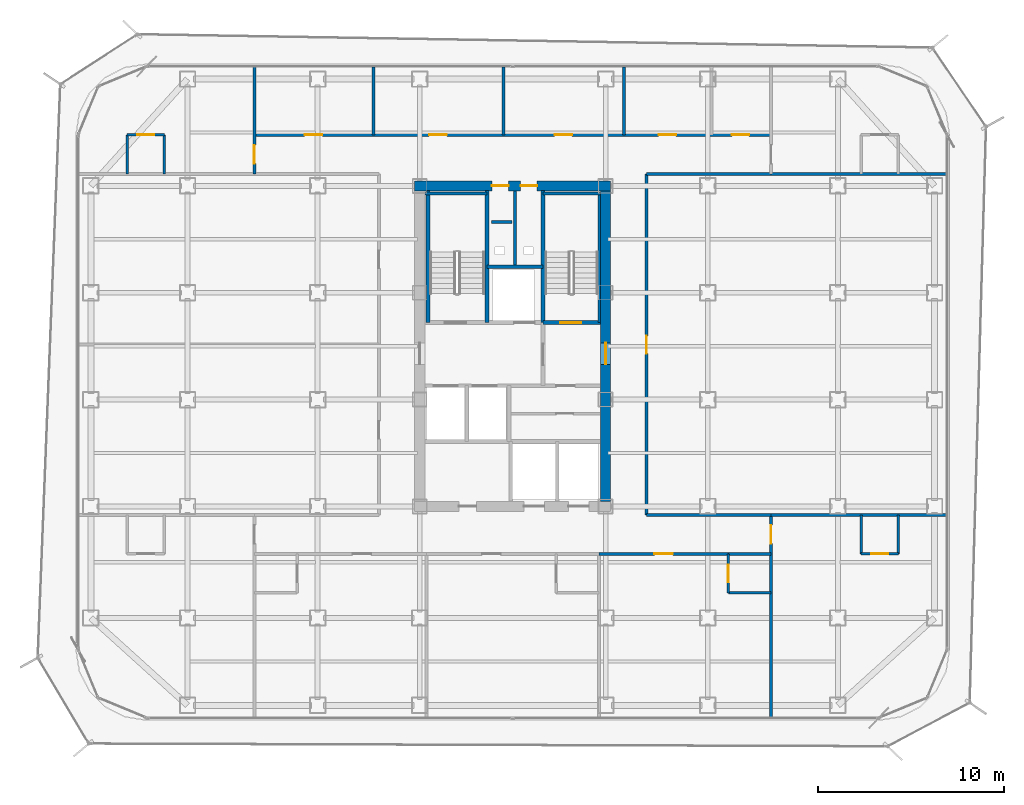
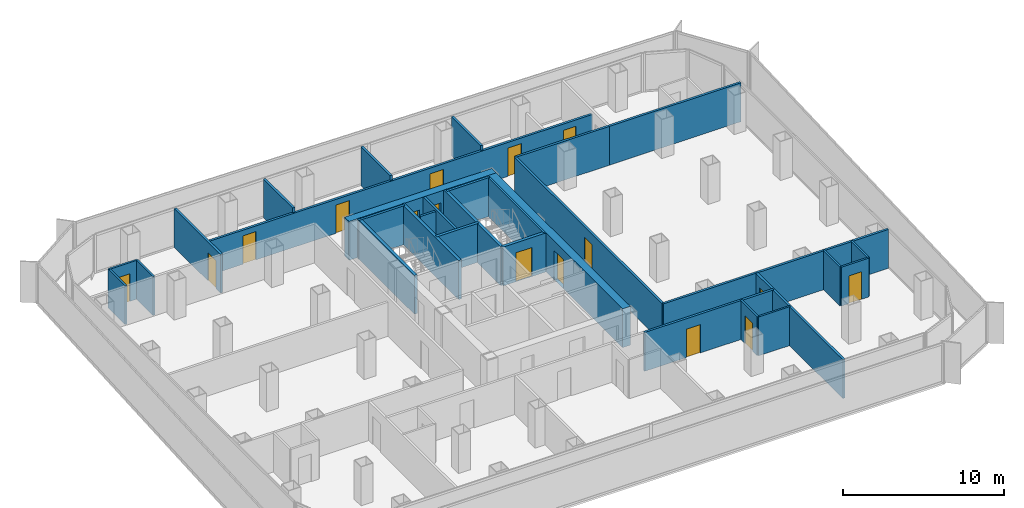
# One storey, part 17 of 21: 33 walls, 16 doors, 16 openings.
"""IFC4 building model written with IfcOpenShell, lengths in metres."""

from ifc_helpers import new_model, si_unit, direction, frame, frame_2d, origin, place, context, subcontext, project, spatial, rectangle, extrude, material, layer, layer_set, type_object, element, fill, save


model = new_model("IFC4")

# Units and contexts
model_context = context("Model", 3, precision=1e-05, world=origin(), true_north=direction((0.0, 1.0)))
body_context = subcontext(model_context, "Body", "Model", "MODEL_VIEW")
ifc_project = project(units=[si_unit("LENGTHUNIT", "METRE"), si_unit("AREAUNIT", "SQUARE_METRE"), si_unit("VOLUMEUNIT", "CUBIC_METRE"), si_unit("PLANEANGLEUNIT", "RADIAN"), si_unit("MASSUNIT", "GRAM", prefix="KILO")], contexts=[model_context])

# Site, building, storey
site_placement = place(None, origin())
site = spatial("IfcSite", under=ifc_project, at=site_placement, CompositionType="ELEMENT")
building_placement = place(site_placement, origin())
building = spatial("IfcBuilding", under=site, at=building_placement, Name="Kolveth Station Tower", CompositionType="ELEMENT")
storey_placement = place(building_placement, frame((0.0, 0.0, 124.699951171875)))
storey = spatial("IfcBuildingStorey", under=building, at=storey_placement, Name="L34", CompositionType="ELEMENT", Elevation=124.699951171875)

# Wall, openings, doors
ifc_material_1 = material(Name="Concrete C60/75", Category="concrete")
ifc_layer_1 = layer(ifc_material_1, 0.550048828125)
ifc_layer_set_1 = layer_set([ifc_layer_1], Name="Concrete C60/75")
wall_type_1 = type_object("IfcWallType", Name="Wall_CW-550", PredefinedType="SHEAR", material=ifc_layer_set_1)
wall_1_placement = place(storey_placement, frame((18.22509765625, 28.75, 0.0), z_axis=(0.0, 0.0, 1.0), x_axis=(1.0, 0.0, 0.0)))
wall_1 = element("IfcWall", 1, at=wall_1_placement, inside=storey, type_object=wall_type_1, Name="L34 Core RC Shear Wall N", PredefinedType="SHEAR", context=body_context, shape_type="SweptSolid", body=[
    extrude(rectangle(XDim=10.5498046875, YDim=0.550048828125, at=frame_2d((5.27490234375, 0.0))), origin(), (0.0, 0.0, 1.0), 2.949951171875),
])
opening_1_placement = place(wall_1_placement, frame((4.155029296875, 0.0, 0.0)))
opening_1 = element("IfcOpeningElement", 2, at=opening_1_placement, cuts=wall_1, Name="Opening RD1", PredefinedType="OPENING", context=body_context, shape_type="SweptSolid", body=[
    extrude(rectangle(XDim=0.89990234375, YDim=2.050048828125, at=frame_2d((0.449951171875, 1.02490234375))), frame((0.0, 0.284912109375, 0.0), z_axis=(0.0, -1.0, 0.0), x_axis=(1.0, 0.0, 0.0)), (0.0, 0.0, 1.0), 0.570068359375),
])
opening_2_placement = place(wall_1_placement, frame((5.695068359375, 0.0, 0.0)))
opening_2 = element("IfcOpeningElement", 3, at=opening_2_placement, cuts=wall_1, Name="Opening RD1", PredefinedType="OPENING", context=body_context, shape_type="SweptSolid", body=[
    extrude(rectangle(XDim=0.89990234375, YDim=2.050048828125, at=frame_2d((0.449951171875, 1.02490234375))), frame((0.0, 0.284912109375, 0.0), z_axis=(0.0, -1.0, 0.0), x_axis=(1.0, 0.0, 0.0)), (0.0, 0.0, 1.0), 0.570068359375),
])
ifc_material_2 = material(Name="Fire-rated Steel S355 riser access leaf", Category="steel")
door_type_1 = type_object("IfcDoorType", Name="Door_RD1", OperationType="NOTDEFINED", PredefinedType="DOOR", material=ifc_material_2)
door_1_placement = place(opening_1_placement, origin())
door_1 = element("IfcDoor", 4, at=door_1_placement, inside=storey, type_object=door_type_1, Name="L34 Electrical Riser Access Door", OperationType="SINGLE_SWING_RIGHT", OverallHeight=2.050048828125, OverallWidth=0.89990234375, PredefinedType="DOOR", context=body_context, shape_type="SweptSolid", body=[
    extrude(rectangle(XDim=0.89990234375, YDim=2.050048828125, at=frame_2d((0.449951171875, 1.02490234375))), frame((0.0, 0.02490234375, 0.0), z_axis=(0.0, -1.0, 0.0), x_axis=(1.0, 0.0, 0.0)), (0.0, 0.0, 1.0), 0.050048828125),
])
fill(opening_1, door_1)
door_2_placement = place(opening_2_placement, origin())
door_2 = element("IfcDoor", 5, at=door_2_placement, inside=storey, type_object=door_type_1, Name="L34 Smoke Duct Access Door", OperationType="SINGLE_SWING_LEFT", OverallHeight=2.050048828125, OverallWidth=0.89990234375, PredefinedType="DOOR", context=body_context, shape_type="SweptSolid", body=[
    extrude(rectangle(XDim=0.89990234375, YDim=2.050048828125, at=frame_2d((0.449951171875, 1.02490234375))), frame((0.0, 0.02490234375, 0.0), z_axis=(0.0, -1.0, 0.0), x_axis=(1.0, 0.0, 0.0)), (0.0, 0.0, 1.0), 0.050048828125),
])
fill(opening_2, door_2)

# Wall, opening, door
wall_2_placement = place(storey_placement, frame((28.5, 11.77490234375, 0.0), z_axis=(0.0, 0.0, 1.0), x_axis=(0.0, 1.0, 0.0)))
wall_2 = element("IfcWall", 6, at=wall_2_placement, inside=storey, type_object=wall_type_1, Name="L34 Core RC Shear Wall E", PredefinedType="SHEAR", context=body_context, shape_type="SweptSolid", body=[
    extrude(rectangle(XDim=16.7001953125, YDim=0.550048828125, at=frame_2d((8.35009765625, 0.0))), origin(), (0.0, 0.0, 1.0), 2.949951171875),
])
opening_3_placement = place(wall_2_placement, frame((7.375, 0.0, 0.0)))
opening_3 = element("IfcOpeningElement", 7, at=opening_3_placement, cuts=wall_2, Name="Opening FD1", PredefinedType="OPENING", context=body_context, shape_type="SweptSolid", body=[
    extrude(rectangle(XDim=1.14990234375, YDim=2.199951171875, at=frame_2d((0.574951171875, 1.10009765625))), frame((0.0, 0.284912109375, 0.0), z_axis=(0.0, -1.0, 0.0), x_axis=(1.0, 0.0, 0.0)), (0.0, 0.0, 1.0), 0.570068359375),
])
ifc_material_3 = material(Name="Fire-rated Steel S355 leaf and frame", Category="steel")
door_type_2 = type_object("IfcDoorType", Name="Door_FD1", OperationType="NOTDEFINED", PredefinedType="DOOR", material=ifc_material_3)
door_3_placement = place(opening_3_placement, origin())
door_3 = element("IfcDoor", 8, at=door_3_placement, inside=storey, type_object=door_type_2, Name="L34 East Corridor to Stair Lobby Door", OperationType="SINGLE_SWING_LEFT", OverallHeight=2.199951171875, OverallWidth=1.14990234375, PredefinedType="DOOR", context=body_context, shape_type="SweptSolid", body=[
    extrude(rectangle(XDim=1.14990234375, YDim=2.199951171875, at=frame_2d((0.574951171875, 1.10009765625))), frame((0.0, 0.02490234375, 0.0), z_axis=(0.0, -1.0, 0.0), x_axis=(1.0, 0.0, 0.0)), (0.0, 0.0, 1.0), 0.050048828125),
])
fill(opening_3, door_3)

# Walls
ifc_material_4 = material(Name="Moisture-resistant gypsum partition")
ifc_layer_2 = layer(ifc_material_4, 0.135009765625)
ifc_layer_set_2 = layer_set([ifc_layer_2], Name="Moisture-resistant gypsum partition")
wall_type_2 = type_object("IfcWallType", Name="Wall_IW-135", PredefinedType="PARTITIONING", material=ifc_layer_set_2)
wall_3_placement = place(storey_placement, frame((28.16748046875, 21.389892578125, 0.0), z_axis=(0.0, 0.0, 1.0), x_axis=(0.0, 1.0, 0.0)))
element("IfcWall", 9, at=wall_3_placement, inside=storey, type_object=wall_type_2, Name="L34 Stair Shaft Wall WL-L34-ST2-E", PredefinedType="PARTITIONING", context=body_context, shape_type="SweptSolid", body=[
    extrude(rectangle(XDim=6.945068359375, YDim=0.135009765625, at=frame_2d((3.47265625, 0.0))), origin(), (0.0, 0.0, 1.0), 2.949951171875),
])
for number, where, z_axis, x_axis, name in (
    (10, (2.75, 29.39990234375, 0.0), (0.0, 0.0, 1.0), (0.0, 1.0, 0.0), "L34 Partition Wall WL-L34-WS2-BV1"),
    (11, (4.75, 29.39990234375, 0.0), (0.0, 0.0, 1.0), (0.0, 1.0, 0.0), "L34 Partition Wall WL-L34-WS2-BV2"),
):
    element("IfcWall", number, at=place(storey_placement, frame(where, z_axis=z_axis, x_axis=x_axis)), inside=storey, type_object=wall_type_2, Name=name, PredefinedType="PARTITIONING", context=body_context, shape_type="SweptSolid", body=[
        extrude(rectangle(XDim=2.10009765625, YDim=0.135009765625, at=frame_2d((1.050048828125, 0.0))), origin(), (0.0, 0.0, 1.0), 2.949951171875),
    ])

# Wall, opening, door
wall_4_placement = place(storey_placement, frame((2.75, 31.5, 0.0), z_axis=(0.0, 0.0, 1.0), x_axis=(1.0, 0.0, 0.0)))
wall_4 = element("IfcWall", 12, at=wall_4_placement, inside=storey, type_object=wall_type_2, Name="L34 Partition Wall WL-L34-WS2-BH", PredefinedType="PARTITIONING", context=body_context, shape_type="SweptSolid", body=[
    extrude(rectangle(XDim=2.0, YDim=0.135009765625, at=frame_2d((1.0, 0.0))), origin(), (0.0, 0.0, 1.0), 2.949951171875),
])
opening_4_placement = place(wall_4_placement, frame((0.5400390625, 0.0, 0.0)))
opening_4 = element("IfcOpeningElement", 13, at=opening_4_placement, cuts=wall_4, Name="Opening ID2", PredefinedType="OPENING", context=body_context, shape_type="SweptSolid", body=[
    extrude(rectangle(XDim=0.919921875, YDim=2.10009765625, at=frame_2d((0.4599609375, 1.050048828125))), frame((0.0, 0.077392578125, 0.0), z_axis=(0.0, -1.0, 0.0), x_axis=(1.0, 0.0, 0.0)), (0.0, 0.0, 1.0), 0.155029296875),
])
ifc_material_5 = material(Name="Moisture-resistant hardwood leaf", Category="wood")
door_type_3 = type_object("IfcDoorType", Name="Door_ID2", OperationType="NOTDEFINED", PredefinedType="DOOR", material=ifc_material_5)
door_4_placement = place(opening_4_placement, frame((0.919921875, 0.0, 0.0), z_axis=(0.0, 0.0, 1.0), x_axis=(-1.0, 0.0, 0.0)))
door_4 = element("IfcDoor", 14, at=door_4_placement, inside=storey, type_object=door_type_3, Name="L34 Hotel Guest Room WS2 En-Suite Door", OperationType="SINGLE_SWING_LEFT", OverallHeight=2.10009765625, OverallWidth=0.919921875, PredefinedType="DOOR", context=body_context, shape_type="SweptSolid", body=[
    extrude(rectangle(XDim=0.919921875, YDim=2.10009765625, at=frame_2d((0.4599609375, 1.050048828125))), frame((0.0, 0.02490234375, 0.0), z_axis=(0.0, -1.0, 0.0), x_axis=(1.0, 0.0, 0.0)), (0.0, 0.0, 1.0), 0.050048828125),
])
fill(opening_4, door_4)

# Walls
for number, where, z_axis, x_axis, name in (
    (15, (42.25, 8.949951171875, 0.0), (0.0, 0.0, 1.0), (0.0, 1.0, 0.0), "L34 Partition Wall WL-L34-ES1-BV1"),
    (16, (44.25, 8.949951171875, 0.0), (0.0, 0.0, 1.0), (0.0, 1.0, 0.0), "L34 Partition Wall WL-L34-ES1-BV2"),
):
    element("IfcWall", number, at=place(storey_placement, frame(where, z_axis=z_axis, x_axis=x_axis)), inside=storey, type_object=wall_type_2, Name=name, PredefinedType="PARTITIONING", context=body_context, shape_type="SweptSolid", body=[
        extrude(rectangle(XDim=2.10009765625, YDim=0.135009765625, at=frame_2d((1.050048828125, 0.0))), origin(), (0.0, 0.0, 1.0), 2.949951171875),
    ])

# Wall, opening, door
wall_5_placement = place(storey_placement, frame((42.25, 8.949951171875, 0.0), z_axis=(0.0, 0.0, 1.0), x_axis=(1.0, 0.0, 0.0)))
wall_5 = element("IfcWall", 17, at=wall_5_placement, inside=storey, type_object=wall_type_2, Name="L34 Partition Wall WL-L34-ES1-BH", PredefinedType="PARTITIONING", context=body_context, shape_type="SweptSolid", body=[
    extrude(rectangle(XDim=2.0, YDim=0.135009765625, at=frame_2d((1.0, 0.0))), origin(), (0.0, 0.0, 1.0), 2.949951171875),
])
opening_5_placement = place(wall_5_placement, frame((0.5400390625, 0.0, 0.0)))
opening_5 = element("IfcOpeningElement", 18, at=opening_5_placement, cuts=wall_5, Name="Opening ID2", PredefinedType="OPENING", context=body_context, shape_type="SweptSolid", body=[
    extrude(rectangle(XDim=0.919921875, YDim=2.10009765625, at=frame_2d((0.4599609375, 1.050048828125))), frame((0.0, 0.077392578125, 0.0), z_axis=(0.0, -1.0, 0.0), x_axis=(1.0, 0.0, 0.0)), (0.0, 0.0, 1.0), 0.155029296875),
])
door_5_placement = place(opening_5_placement, origin())
door_5 = element("IfcDoor", 19, at=door_5_placement, inside=storey, type_object=door_type_3, Name="L34 Hotel Corner Suite ES1 En-Suite Door", OperationType="SINGLE_SWING_LEFT", OverallHeight=2.10009765625, OverallWidth=0.919921875, PredefinedType="DOOR", context=body_context, shape_type="SweptSolid", body=[
    extrude(rectangle(XDim=0.919921875, YDim=2.10009765625, at=frame_2d((0.4599609375, 1.050048828125))), frame((0.0, 0.02490234375, 0.0), z_axis=(0.0, -1.0, 0.0), x_axis=(1.0, 0.0, 0.0)), (0.0, 0.0, 1.0), 0.050048828125),
])
fill(opening_5, door_5)

wall_6_placement = place(storey_placement, frame((35.10009765625, 6.85009765625, 0.0), z_axis=(0.0, 0.0, 1.0), x_axis=(0.0, 1.0, 0.0)))
wall_6 = element("IfcWall", 20, at=wall_6_placement, inside=storey, type_object=wall_type_2, Name="L34 Partition Wall WL-L34-HS3-BV", PredefinedType="PARTITIONING", context=body_context, shape_type="SweptSolid", body=[
    extrude(rectangle(XDim=2.099853515625, YDim=0.135009765625, at=frame_2d((1.0498046875, 0.0))), origin(), (0.0, 0.0, 1.0), 2.949951171875),
])
opening_6_placement = place(wall_6_placement, frame((0.580078125, 0.0, 0.0)))
opening_6 = element("IfcOpeningElement", 21, at=opening_6_placement, cuts=wall_6, Name="Opening ID2", PredefinedType="OPENING", context=body_context, shape_type="SweptSolid", body=[
    extrude(rectangle(XDim=0.919921875, YDim=2.10009765625, at=frame_2d((0.4599609375, 1.050048828125))), frame((0.0, 0.077392578125, 0.0), z_axis=(0.0, -1.0, 0.0), x_axis=(1.0, 0.0, 0.0)), (0.0, 0.0, 1.0), 0.155029296875),
])
door_6_placement = place(opening_6_placement, origin())
door_6 = element("IfcDoor", 22, at=door_6_placement, inside=storey, type_object=door_type_3, Name="L34 Hotel Corner Suite HS3 En-Suite Door", OperationType="SINGLE_SWING_LEFT", OverallHeight=2.10009765625, OverallWidth=0.919921875, PredefinedType="DOOR", context=body_context, shape_type="SweptSolid", body=[
    extrude(rectangle(XDim=0.919921875, YDim=2.10009765625, at=frame_2d((0.4599609375, 1.050048828125))), frame((0.0, 0.02490234375, 0.0), z_axis=(0.0, -1.0, 0.0), x_axis=(1.0, 0.0, 0.0)), (0.0, 0.0, 1.0), 0.050048828125),
])
fill(opening_6, door_6)

# Walls
wall_7_placement = place(storey_placement, frame((35.10009765625, 6.85009765625, 0.0), z_axis=(0.0, 0.0, 1.0), x_axis=(1.0, 0.0, 0.0)))
element("IfcWall", 23, at=wall_7_placement, inside=storey, type_object=wall_type_2, Name="L34 Partition Wall WL-L34-HS3-BH", PredefinedType="PARTITIONING", context=body_context, shape_type="SweptSolid", body=[
    extrude(rectangle(XDim=2.2998046875, YDim=0.135009765625, at=frame_2d((1.14990234375, 0.0))), origin(), (0.0, 0.0, 1.0), 2.949951171875),
])
ifc_material_6 = material(Name="Acoustic double-stud gypsum partition")
ifc_layer_3 = layer(ifc_material_6, 0.1650390625)
ifc_layer_set_3 = layer_set([ifc_layer_3], Name="Acoustic double-stud gypsum partition")
wall_type_3 = type_object("IfcWallType", Name="Wall_IW-165", PredefinedType="PARTITIONING", material=ifc_layer_set_3)
wall_8_placement = place(storey_placement, frame((18.784912109375, 28.3349609375, 0.0), z_axis=(0.0, 0.0, 1.0), x_axis=(1.0, 0.0, 0.0)))
element("IfcWall", 24, at=wall_8_placement, inside=storey, type_object=wall_type_3, Name="L34 Stair Shaft Wall WL-L34-ST1-N", PredefinedType="PARTITIONING", context=body_context, shape_type="SweptSolid", body=[
    extrude(rectangle(XDim=3.3251953125, YDim=0.1650390625, at=frame_2d((1.66259765625, 0.0))), origin(), (0.0, 0.0, 1.0), 2.949951171875),
])
wall_9_placement = place(storey_placement, frame((25.1298828125, 28.3349609375, 0.0), z_axis=(0.0, 0.0, 1.0), x_axis=(1.0, 0.0, 0.0)))
element("IfcWall", 25, at=wall_9_placement, inside=storey, type_object=wall_type_3, Name="L34 Stair Shaft Wall WL-L34-ST2-N", PredefinedType="PARTITIONING", context=body_context, shape_type="SweptSolid", body=[
    extrude(rectangle(XDim=3.085205078125, YDim=0.1650390625, at=frame_2d((1.54248046875, 0.0))), origin(), (0.0, 0.0, 1.0), 2.949951171875),
])
wall_10_placement = place(storey_placement, frame((23.6201171875, 24.39990234375, 0.0), z_axis=(0.0, 0.0, 1.0), x_axis=(0.0, 1.0, 0.0)))
element("IfcWall", 26, at=wall_10_placement, inside=storey, type_object=wall_type_3, Name="L34 Partition Wall WL-L34-RSR-M", PredefinedType="PARTITIONING", context=body_context, shape_type="SweptSolid", body=[
    extrude(rectangle(XDim=4.065185546875, YDim=0.1650390625, at=frame_2d((2.03271484375, 0.0))), origin(), (0.0, 0.0, 1.0), 2.949951171875),
])

# Wall, openings, doors
wall_11_placement = place(storey_placement, frame((9.60009765625, 31.5, 0.0), z_axis=(0.0, 0.0, 1.0), x_axis=(1.0, 0.0, 0.0)))
wall_11 = element("IfcWall", 27, at=wall_11_placement, inside=storey, type_object=wall_type_3, Name="L34 Partition Wall WL-L34-HN", PredefinedType="PARTITIONING", context=body_context, shape_type="SweptSolid", body=[
    extrude(rectangle(XDim=27.7998046875, YDim=0.1650390625, at=frame_2d((13.89990234375, 0.0))), origin(), (0.0, 0.0, 1.0), 2.5830078125),
])
opening_7_placement = place(wall_11_placement, frame((2.699951171875, 0.0, 0.0)))
opening_7 = element("IfcOpeningElement", 28, at=opening_7_placement, cuts=wall_11, Name="Opening ID1", PredefinedType="OPENING", context=body_context, shape_type="SweptSolid", body=[
    extrude(rectangle(XDim=0.949951171875, YDim=2.14990234375, at=frame_2d((0.47509765625, 1.074951171875))), frame((0.0, 0.092529296875, 0.0), z_axis=(0.0, -1.0, 0.0), x_axis=(1.0, 0.0, 0.0)), (0.0, 0.0, 1.0), 0.18505859375),
])
opening_8_placement = place(wall_11_placement, frame((9.39990234375, 0.0, 0.0)))
opening_8 = element("IfcOpeningElement", 29, at=opening_8_placement, cuts=wall_11, Name="Opening ID1", PredefinedType="OPENING", context=body_context, shape_type="SweptSolid", body=[
    extrude(rectangle(XDim=0.949951171875, YDim=2.14990234375, at=frame_2d((0.47509765625, 1.074951171875))), frame((0.0, 0.092529296875, 0.0), z_axis=(0.0, -1.0, 0.0), x_axis=(1.0, 0.0, 0.0)), (0.0, 0.0, 1.0), 0.18505859375),
])
opening_9_placement = place(wall_11_placement, frame((16.14990234375, 0.0, 0.0)))
opening_9 = element("IfcOpeningElement", 30, at=opening_9_placement, cuts=wall_11, Name="Opening ID1", PredefinedType="OPENING", context=body_context, shape_type="SweptSolid", body=[
    extrude(rectangle(XDim=0.949951171875, YDim=2.14990234375, at=frame_2d((0.47509765625, 1.074951171875))), frame((0.0, 0.092529296875, 0.0), z_axis=(0.0, -1.0, 0.0), x_axis=(1.0, 0.0, 0.0)), (0.0, 0.0, 1.0), 0.18505859375),
])
opening_10_placement = place(wall_11_placement, frame((21.75, 0.0, 0.0)))
opening_10 = element("IfcOpeningElement", 31, at=opening_10_placement, cuts=wall_11, Name="Opening ID1", PredefinedType="OPENING", context=body_context, shape_type="SweptSolid", body=[
    extrude(rectangle(XDim=0.949951171875, YDim=2.14990234375, at=frame_2d((0.47509765625, 1.074951171875))), frame((0.0, 0.092529296875, 0.0), z_axis=(0.0, -1.0, 0.0), x_axis=(1.0, 0.0, 0.0)), (0.0, 0.0, 1.0), 0.18505859375),
])
opening_11_placement = place(wall_11_placement, frame((25.699951171875, 0.0, 0.0)))
opening_11 = element("IfcOpeningElement", 32, at=opening_11_placement, cuts=wall_11, Name="Opening ID2", PredefinedType="OPENING", context=body_context, shape_type="SweptSolid", body=[
    extrude(rectangle(XDim=0.919921875, YDim=2.10009765625, at=frame_2d((0.4599609375, 1.050048828125))), frame((0.0, 0.092529296875, 0.0), z_axis=(0.0, -1.0, 0.0), x_axis=(1.0, 0.0, 0.0)), (0.0, 0.0, 1.0), 0.18505859375),
])
ifc_material_7 = material(Name="Acoustic hardwood leaf and aluminium frame", Category="wood")
door_type_4 = type_object("IfcDoorType", Name="Door_ID1", OperationType="NOTDEFINED", PredefinedType="DOOR", material=ifc_material_7)
door_7_placement = place(opening_7_placement, origin())
door_7 = element("IfcDoor", 33, at=door_7_placement, inside=storey, type_object=door_type_4, Name="L34 Hospitality Management Office 1 Door", OperationType="SINGLE_SWING_LEFT", OverallHeight=2.14990234375, OverallWidth=0.949951171875, PredefinedType="DOOR", context=body_context, shape_type="SweptSolid", body=[
    extrude(rectangle(XDim=0.949951171875, YDim=2.14990234375, at=frame_2d((0.47509765625, 1.074951171875))), frame((0.0, 0.02490234375, 0.0), z_axis=(0.0, -1.0, 0.0), x_axis=(1.0, 0.0, 0.0)), (0.0, 0.0, 1.0), 0.050048828125),
])
fill(opening_7, door_7)
door_8_placement = place(opening_8_placement, origin())
door_8 = element("IfcDoor", 34, at=door_8_placement, inside=storey, type_object=door_type_4, Name="L34 Hospitality Management Office 2 Door", OperationType="SINGLE_SWING_RIGHT", OverallHeight=2.14990234375, OverallWidth=0.949951171875, PredefinedType="DOOR", context=body_context, shape_type="SweptSolid", body=[
    extrude(rectangle(XDim=0.949951171875, YDim=2.14990234375, at=frame_2d((0.47509765625, 1.074951171875))), frame((0.0, 0.02490234375, 0.0), z_axis=(0.0, -1.0, 0.0), x_axis=(1.0, 0.0, 0.0)), (0.0, 0.0, 1.0), 0.050048828125),
])
fill(opening_8, door_8)
door_9_placement = place(opening_9_placement, origin())
door_9 = element("IfcDoor", 35, at=door_9_placement, inside=storey, type_object=door_type_4, Name="L34 Events Coordination Office Door", OperationType="SINGLE_SWING_LEFT", OverallHeight=2.14990234375, OverallWidth=0.949951171875, PredefinedType="DOOR", context=body_context, shape_type="SweptSolid", body=[
    extrude(rectangle(XDim=0.949951171875, YDim=2.14990234375, at=frame_2d((0.47509765625, 1.074951171875))), frame((0.0, 0.02490234375, 0.0), z_axis=(0.0, -1.0, 0.0), x_axis=(1.0, 0.0, 0.0)), (0.0, 0.0, 1.0), 0.050048828125),
])
fill(opening_9, door_9)
door_10_placement = place(opening_10_placement, origin())
door_10 = element("IfcDoor", 36, at=door_10_placement, inside=storey, type_object=door_type_4, Name="L34 Floor Service Pantry Door", OperationType="SINGLE_SWING_RIGHT", OverallHeight=2.14990234375, OverallWidth=0.949951171875, PredefinedType="DOOR", context=body_context, shape_type="SweptSolid", body=[
    extrude(rectangle(XDim=0.949951171875, YDim=2.14990234375, at=frame_2d((0.47509765625, 1.074951171875))), frame((0.0, 0.02490234375, 0.0), z_axis=(0.0, -1.0, 0.0), x_axis=(1.0, 0.0, 0.0)), (0.0, 0.0, 1.0), 0.050048828125),
])
fill(opening_10, door_10)
door_11_placement = place(opening_11_placement, origin())
door_11 = element("IfcDoor", 37, at=door_11_placement, inside=storey, type_object=door_type_3, Name="L34 Accessible Guest WC Door", OperationType="SINGLE_SWING_LEFT", OverallHeight=2.10009765625, OverallWidth=0.919921875, PredefinedType="DOOR", context=body_context, shape_type="SweptSolid", body=[
    extrude(rectangle(XDim=0.919921875, YDim=2.10009765625, at=frame_2d((0.4599609375, 1.050048828125))), frame((0.0, 0.02490234375, 0.0), z_axis=(0.0, -1.0, 0.0), x_axis=(1.0, 0.0, 0.0)), (0.0, 0.0, 1.0), 0.050048828125),
])
fill(opening_11, door_11)

# Walls
for number, where, z_axis, x_axis, name in (
    (38, (30.699951171875, 11.050048828125, 0.0), (0.0, 0.0, 1.0), (1.0, 0.0, 0.0), "L34 Partition Wall WL-L34-HSET"),
    (39, (30.699951171875, 29.39990234375, 0.0), (0.0, 0.0, 1.0), (1.0, 0.0, 0.0), "L34 Partition Wall WL-L34-HNEB"),
):
    element("IfcWall", number, at=place(storey_placement, frame(where, z_axis=z_axis, x_axis=x_axis)), inside=storey, type_object=wall_type_3, Name=name, PredefinedType="PARTITIONING", context=body_context, shape_type="SweptSolid", body=[
        extrude(rectangle(XDim=6.699951171875, YDim=0.1650390625, at=frame_2d((3.35009765625, 0.0))), origin(), (0.0, 0.0, 1.0), 2.949951171875),
    ])

# Wall, opening, door
wall_12_placement = place(storey_placement, frame((30.699951171875, 11.050048828125, 0.0), z_axis=(0.0, 0.0, 1.0), x_axis=(0.0, 1.0, 0.0)))
wall_12 = element("IfcWall", 40, at=wall_12_placement, inside=storey, type_object=wall_type_3, Name="L34 Partition Wall WL-L34-HE", PredefinedType="PARTITIONING", context=body_context, shape_type="SweptSolid", body=[
    extrude(rectangle(XDim=18.349853515625, YDim=0.1650390625, at=frame_2d((9.1748046875, 0.0))), origin(), (0.0, 0.0, 1.0), 2.949951171875),
])
opening_12_placement = place(wall_12_placement, frame((8.675048828125, 0.0, 0.0)))
opening_12 = element("IfcOpeningElement", 41, at=opening_12_placement, cuts=wall_12, Name="Opening ID1", PredefinedType="OPENING", context=body_context, shape_type="SweptSolid", body=[
    extrude(rectangle(XDim=0.949951171875, YDim=2.14990234375, at=frame_2d((0.47509765625, 1.074951171875))), frame((0.0, 0.092529296875, 0.0), z_axis=(0.0, -1.0, 0.0), x_axis=(1.0, 0.0, 0.0)), (0.0, 0.0, 1.0), 0.18505859375),
])
door_12_placement = place(opening_12_placement, origin())
door_12 = element("IfcDoor", 42, at=door_12_placement, inside=storey, type_object=door_type_4, Name="L34 Club Dining Lounge Door", OperationType="SINGLE_SWING_RIGHT", OverallHeight=2.14990234375, OverallWidth=0.949951171875, PredefinedType="DOOR", context=body_context, shape_type="SweptSolid", body=[
    extrude(rectangle(XDim=0.949951171875, YDim=2.14990234375, at=frame_2d((0.47509765625, 1.074951171875))), frame((0.0, 0.02490234375, 0.0), z_axis=(0.0, -1.0, 0.0), x_axis=(1.0, 0.0, 0.0)), (0.0, 0.0, 1.0), 0.050048828125),
])
fill(opening_12, door_12)

wall_13_placement = place(storey_placement, frame((9.60009765625, 29.39990234375, 0.0), z_axis=(0.0, 0.0, 1.0), x_axis=(0.0, 1.0, 0.0)))
wall_13 = element("IfcWall", 43, at=wall_13_placement, inside=storey, type_object=wall_type_3, Name="L34 Partition Wall WL-L34-END-WN", PredefinedType="PARTITIONING", context=body_context, shape_type="SweptSolid", body=[
    extrude(rectangle(XDim=5.739990234375, YDim=0.1650390625, at=frame_2d((2.8701171875, 0.0))), origin(), (0.0, 0.0, 1.0), 2.949951171875),
])
opening_13_placement = place(wall_13_placement, frame((0.550048828125, 0.0, 0.0)))
opening_13 = element("IfcOpeningElement", 44, at=opening_13_placement, cuts=wall_13, Name="Opening FD3", PredefinedType="OPENING", context=body_context, shape_type="SweptSolid", body=[
    extrude(rectangle(XDim=1.0, YDim=2.14990234375, at=frame_2d((0.5, 1.074951171875))), frame((0.0, 0.092529296875, 0.0), z_axis=(0.0, -1.0, 0.0), x_axis=(1.0, 0.0, 0.0)), (0.0, 0.0, 1.0), 0.18505859375),
])
ifc_material_8 = material(Name="Fire-rated hardwood leaf and aluminium frame", Category="wood")
door_type_5 = type_object("IfcDoorType", Name="Door_FD3", OperationType="NOTDEFINED", PredefinedType="DOOR", material=ifc_material_8)
door_13_placement = place(opening_13_placement, origin())
door_13 = element("IfcDoor", 45, at=door_13_placement, inside=storey, type_object=door_type_5, Name="L34 Hotel Guest Room WS2 Entrance Door", OperationType="SINGLE_SWING_RIGHT", OverallHeight=2.14990234375, OverallWidth=1.0, PredefinedType="DOOR", context=body_context, shape_type="SweptSolid", body=[
    extrude(rectangle(XDim=1.0, YDim=2.14990234375, at=frame_2d((0.5, 1.074951171875))), frame((0.0, 0.02490234375, 0.0), z_axis=(0.0, -1.0, 0.0), x_axis=(1.0, 0.0, 0.0)), (0.0, 0.0, 1.0), 0.050048828125),
])
fill(opening_13, door_13)

wall_14_placement = place(storey_placement, frame((37.39990234375, 0.159912109375, 0.0), z_axis=(0.0, 0.0, 1.0), x_axis=(0.0, 1.0, 0.0)))
wall_14 = element("IfcWall", 46, at=wall_14_placement, inside=storey, type_object=wall_type_3, Name="L34 Partition Wall WL-L34-END-ES", PredefinedType="PARTITIONING", context=body_context, shape_type="SweptSolid", body=[
    extrude(rectangle(XDim=10.89013671875, YDim=0.1650390625, at=frame_2d((5.445068359375, 0.0))), origin(), (0.0, 0.0, 1.0), 2.949951171875),
])
opening_14_placement = place(wall_14_placement, frame((9.340087890625, 0.0, 0.0)))
opening_14 = element("IfcOpeningElement", 47, at=opening_14_placement, cuts=wall_14, Name="Opening FD3", PredefinedType="OPENING", context=body_context, shape_type="SweptSolid", body=[
    extrude(rectangle(XDim=1.0, YDim=2.14990234375, at=frame_2d((0.5, 1.074951171875))), frame((0.0, 0.092529296875, 0.0), z_axis=(0.0, -1.0, 0.0), x_axis=(1.0, 0.0, 0.0)), (0.0, 0.0, 1.0), 0.18505859375),
])
door_14_placement = place(opening_14_placement, frame((1.0, 0.0, 0.0), z_axis=(0.0, 0.0, 1.0), x_axis=(-1.0, 0.0, 0.0)))
door_14 = element("IfcDoor", 48, at=door_14_placement, inside=storey, type_object=door_type_5, Name="L34 Hotel Corner Suite ES1 Entrance Door", OperationType="SINGLE_SWING_RIGHT", OverallHeight=2.14990234375, OverallWidth=1.0, PredefinedType="DOOR", context=body_context, shape_type="SweptSolid", body=[
    extrude(rectangle(XDim=1.0, YDim=2.14990234375, at=frame_2d((0.5, 1.074951171875))), frame((0.0, 0.02490234375, 0.0), z_axis=(0.0, -1.0, 0.0), x_axis=(1.0, 0.0, 0.0)), (0.0, 0.0, 1.0), 0.050048828125),
])
fill(opening_14, door_14)

# Walls
for number, where, z_axis, x_axis, name in (
    (49, (37.39990234375, 11.050048828125, 0.0), (0.0, 0.0, 1.0), (1.0, 0.0, 0.0), "L34 Partition Wall WL-L34-EM1"),
    (50, (37.39990234375, 29.39990234375, 0.0), (0.0, 0.0, 1.0), (1.0, 0.0, 0.0), "L34 Partition Wall WL-L34-EM2"),
):
    element("IfcWall", number, at=place(storey_placement, frame(where, z_axis=z_axis, x_axis=x_axis)), inside=storey, type_object=wall_type_3, Name=name, PredefinedType="PARTITIONING", context=body_context, shape_type="SweptSolid", body=[
        extrude(rectangle(XDim=9.440185546875, YDim=0.1650390625, at=frame_2d((4.72021484375, 0.0))), origin(), (0.0, 0.0, 1.0), 2.949951171875),
    ])
wall_15_placement = place(storey_placement, frame((35.10009765625, 8.949951171875, 0.0), z_axis=(0.0, 0.0, 1.0), x_axis=(1.0, 0.0, 0.0)))
element("IfcWall", 51, at=wall_15_placement, inside=storey, type_object=wall_type_3, Name="L34 Partition Wall WL-L34-HS3-BCOR", PredefinedType="PARTITIONING", context=body_context, shape_type="SweptSolid", body=[
    extrude(rectangle(XDim=2.2998046875, YDim=0.1650390625, at=frame_2d((1.14990234375, 0.0))), origin(), (0.0, 0.0, 1.0), 2.949951171875),
])

# Wall, opening, door
wall_16_placement = place(storey_placement, frame((28.133056640625, 8.949951171875, 0.0), z_axis=(0.0, 0.0, 1.0), x_axis=(1.0, 0.0, 0.0)))
wall_16 = element("IfcWall", 52, at=wall_16_placement, inside=storey, type_object=wall_type_3, Name="L34 Partition Wall WL-L34-HS3-RCOR", PredefinedType="PARTITIONING", context=body_context, shape_type="SweptSolid", body=[
    extrude(rectangle(XDim=6.967041015625, YDim=0.1650390625, at=frame_2d((3.4833984375, 0.0))), origin(), (0.0, 0.0, 1.0), 2.949951171875),
])
opening_15_placement = place(wall_16_placement, frame((2.98388671875, 0.0, 0.0)))
opening_15 = element("IfcOpeningElement", 53, at=opening_15_placement, cuts=wall_16, Name="Opening FD3", PredefinedType="OPENING", context=body_context, shape_type="SweptSolid", body=[
    extrude(rectangle(XDim=1.0, YDim=2.14990234375, at=frame_2d((0.5, 1.074951171875))), frame((0.0, 0.092529296875, 0.0), z_axis=(0.0, -1.0, 0.0), x_axis=(1.0, 0.0, 0.0)), (0.0, 0.0, 1.0), 0.18505859375),
])
door_15_placement = place(opening_15_placement, frame((1.0, 0.0, 0.0), z_axis=(0.0, 0.0, 1.0), x_axis=(-1.0, 0.0, 0.0)))
door_15 = element("IfcDoor", 54, at=door_15_placement, inside=storey, type_object=door_type_5, Name="L34 Hotel Corner Suite HS3 Entrance Door", OperationType="SINGLE_SWING_RIGHT", OverallHeight=2.14990234375, OverallWidth=1.0, PredefinedType="DOOR", context=body_context, shape_type="SweptSolid", body=[
    extrude(rectangle(XDim=1.0, YDim=2.14990234375, at=frame_2d((0.5, 1.074951171875))), frame((0.0, 0.02490234375, 0.0), z_axis=(0.0, -1.0, 0.0), x_axis=(1.0, 0.0, 0.0)), (0.0, 0.0, 1.0), 0.050048828125),
])
fill(opening_15, door_15)

# Walls
for number, where, z_axis, x_axis, name in (
    (55, (16.0, 31.5, 0.0), (0.0, 0.0, 1.0), (0.0, 1.0, 0.0), "L34 Partition Wall WL-L34-HN-P1"),
    (56, (23.0, 31.5, 0.0), (0.0, 0.0, 1.0), (0.0, 1.0, 0.0), "L34 Partition Wall WL-L34-HN-P2"),
    (57, (29.5, 31.5, 0.0), (0.0, 0.0, 1.0), (0.0, 1.0, 0.0), "L34 Partition Wall WL-L34-HN-P3"),
):
    element("IfcWall", number, at=place(storey_placement, frame(where, z_axis=z_axis, x_axis=x_axis)), inside=storey, type_object=wall_type_3, Name=name, PredefinedType="PARTITIONING", context=body_context, shape_type="SweptSolid", body=[
        extrude(rectangle(XDim=3.639892578125, YDim=0.1650390625, at=frame_2d((1.81982421875, 0.0))), origin(), (0.0, 0.0, 1.0), 2.949951171875),
    ])
wall_17_placement = place(storey_placement, frame((22.35009765625, 26.800048828125, 0.0), z_axis=(0.0, 0.0, 1.0), x_axis=(1.0, 0.0, 0.0)))
element("IfcWall", 58, at=wall_17_placement, inside=storey, type_object=wall_type_3, Name="L34 Acoustic Riser Dry-Lining Wall", PredefinedType="PARTITIONING", context=body_context, shape_type="SweptSolid", body=[
    extrude(rectangle(XDim=1.099853515625, YDim=0.1650390625, at=frame_2d((0.5498046875, 0.0))), origin(), (0.0, 0.0, 1.0), 2.949951171875),
])
ifc_material_9 = material(Name="Acoustic fire-rated gypsum blockwork", Category="masonry")
ifc_layer_4 = layer(ifc_material_9, 0.199951171875)
ifc_layer_set_4 = layer_set([ifc_layer_4], Name="Acoustic fire-rated gypsum blockwork")
wall_type_4 = type_object("IfcWallType", Name="Wall_IW-200", PredefinedType="PARTITIONING", material=ifc_layer_set_4)
wall_18_placement = place(storey_placement, frame((22.110107421875, 24.39990234375, 0.0), z_axis=(0.0, 0.0, 1.0), x_axis=(1.0, 0.0, 0.0)))
element("IfcWall", 59, at=wall_18_placement, inside=storey, type_object=wall_type_4, Name="L34 Partition Wall WL-L34-RSR-S", PredefinedType="PARTITIONING", context=body_context, shape_type="SweptSolid", body=[
    extrude(rectangle(XDim=3.019775390625, YDim=0.199951171875, at=frame_2d((1.509765625, 0.0))), origin(), (0.0, 0.0, 1.0), 2.949951171875),
])
ifc_material_10 = material(Name="Concrete C40/50", Category="concrete")
ifc_layer_5 = layer(ifc_material_10, 0.219970703125)
ifc_layer_set_5 = layer_set([ifc_layer_5], Name="Concrete C40/50")
wall_type_5 = type_object("IfcWallType", Name="Wall_IW-220", PredefinedType="SOLIDWALL", material=ifc_layer_set_5)
for number, where, z_axis, x_axis, name in (
    (60, (18.929931640625, 21.389892578125, 0.0), (0.0, 0.0, 1.0), (0.0, 1.0, 0.0), "L34 Stair Shaft Wall WL-L34-ST1-W"),
    (61, (22.110107421875, 21.389892578125, 0.0), (0.0, 0.0, 1.0), (0.0, 1.0, 0.0), "L34 Stair Shaft Wall WL-L34-ST1-E"),
    (62, (25.1298828125, 21.389892578125, 0.0), (0.0, 0.0, 1.0), (0.0, 1.0, 0.0), "L34 Stair Shaft Wall WL-L34-ST2-W"),
):
    element("IfcWall", number, at=place(storey_placement, frame(where, z_axis=z_axis, x_axis=x_axis)), inside=storey, type_object=wall_type_5, Name=name, PredefinedType="SOLIDWALL", context=body_context, shape_type="SweptSolid", body=[
        extrude(rectangle(XDim=7.110107421875, YDim=0.219970703125, at=frame_2d((3.55517578125, 0.0))), origin(), (0.0, 0.0, 1.0), 2.949951171875),
    ])

# Wall, opening, door
wall_19_placement = place(storey_placement, frame((25.1298828125, 21.389892578125, 0.0), z_axis=(0.0, 0.0, 1.0), x_axis=(1.0, 0.0, 0.0)))
wall_19 = element("IfcWall", 63, at=wall_19_placement, inside=storey, type_object=wall_type_5, Name="L34 Stair Shaft Wall WL-L34-ST2-S", PredefinedType="SOLIDWALL", context=body_context, shape_type="SweptSolid", body=[
    extrude(rectangle(XDim=3.085205078125, YDim=0.219970703125, at=frame_2d((1.54248046875, 0.0))), origin(), (0.0, 0.0, 1.0), 2.949951171875),
])
opening_16_placement = place(wall_19_placement, frame((0.919921875, 0.0, 0.0)))
opening_16 = element("IfcOpeningElement", 64, at=opening_16_placement, cuts=wall_19, Name="Opening FD1", PredefinedType="OPENING", context=body_context, shape_type="SweptSolid", body=[
    extrude(rectangle(XDim=1.14990234375, YDim=2.199951171875, at=frame_2d((0.574951171875, 1.10009765625))), frame((0.0, 0.119873046875, 0.0), z_axis=(0.0, -1.0, 0.0), x_axis=(1.0, 0.0, 0.0)), (0.0, 0.0, 1.0), 0.239990234375),
])
door_16_placement = place(opening_16_placement, frame((1.14990234375, 0.0, 0.0), z_axis=(0.0, 0.0, 1.0), x_axis=(-1.0, 0.0, 0.0)))
door_16 = element("IfcDoor", 65, at=door_16_placement, inside=storey, type_object=door_type_2, Name="L34 Stair ST2 Fire Door", OperationType="SINGLE_SWING_RIGHT", OverallHeight=2.199951171875, OverallWidth=1.14990234375, PredefinedType="DOOR", context=body_context, shape_type="SweptSolid", body=[
    extrude(rectangle(XDim=1.14990234375, YDim=2.199951171875, at=frame_2d((0.574951171875, 1.10009765625))), frame((0.0, 0.02490234375, 0.0), z_axis=(0.0, -1.0, 0.0), x_axis=(1.0, 0.0, 0.0)), (0.0, 0.0, 1.0), 0.050048828125),
])
fill(opening_16, door_16)

save(model, "model.ifc")
